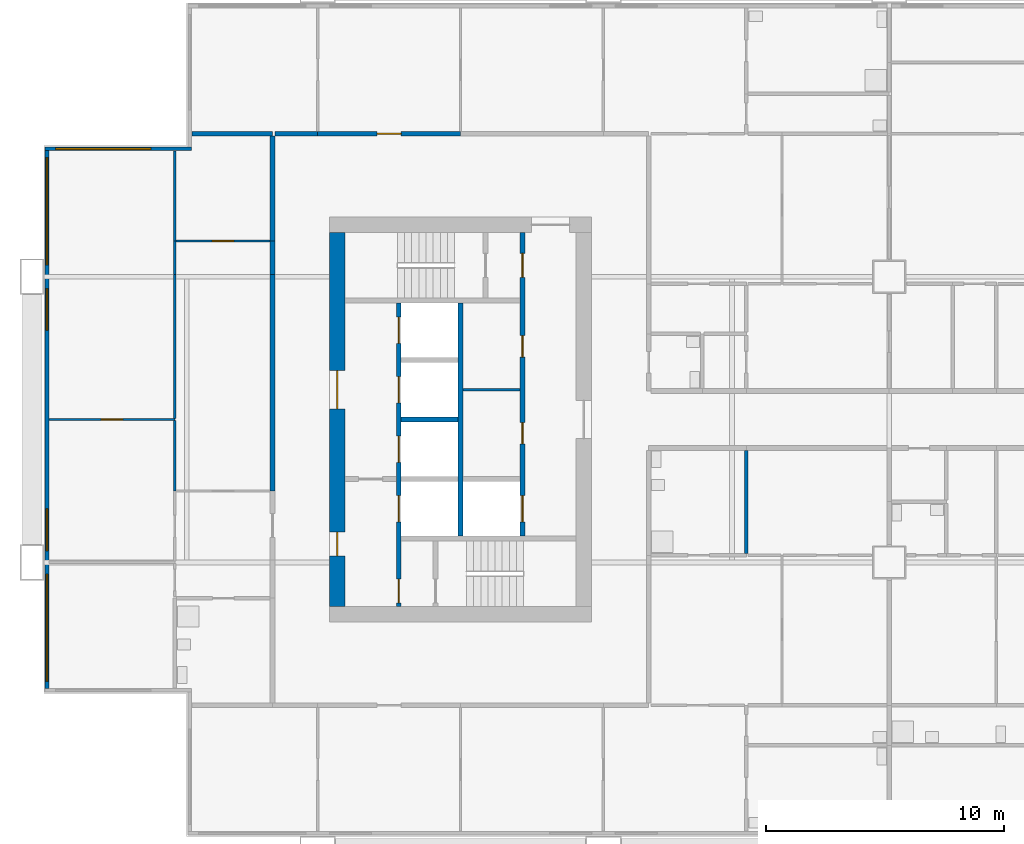
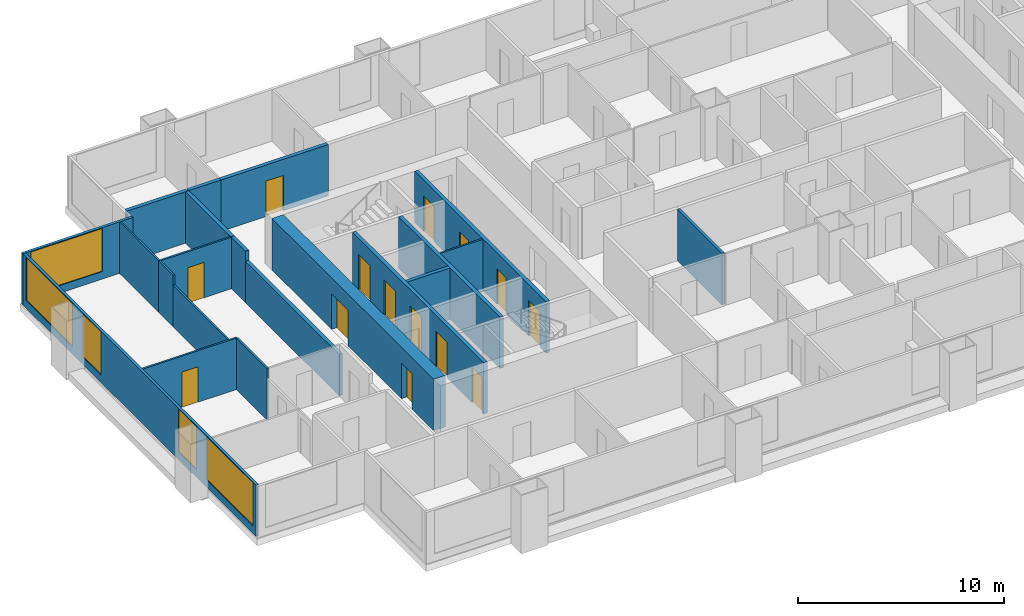
# One storey, part 3 of 11: 21 walls, 14 doors, 5 windows, 19 openings.
"""IFC4 building model written with IfcOpenShell, lengths in metres."""

from ifc_helpers import new_model, si_unit, direction, frame, frame_2d, origin, place, context, subcontext, project, spatial, rectangle, extrude, material, layer, layer_set, type_object, element, fill, save


model = new_model("IFC4")

# Units and contexts
model_context = context("Model", 3, precision=1e-05, world=origin(), true_north=direction((0.0, 1.0)))
body_context = subcontext(model_context, "Body", "Model", "MODEL_VIEW")
ifc_project = project(units=[si_unit("LENGTHUNIT", "METRE"), si_unit("AREAUNIT", "SQUARE_METRE"), si_unit("VOLUMEUNIT", "CUBIC_METRE"), si_unit("PLANEANGLEUNIT", "RADIAN"), si_unit("MASSUNIT", "GRAM", prefix="KILO")], contexts=[model_context])

# Site, building, storey
site_placement = place(None, origin())
site = spatial("IfcSite", under=ifc_project, at=site_placement, CompositionType="ELEMENT")
building_placement = place(site_placement, origin())
building = spatial("IfcBuilding", under=site, at=building_placement, Name="Kitamizu Gate Tower and Museum", CompositionType="ELEMENT")
storey_placement = place(building_placement, frame((0.0, 0.0, 100.050048828125)))
storey = spatial("IfcBuildingStorey", under=building, at=storey_placement, Name="L25", CompositionType="ELEMENT", Elevation=100.050048828125)

# Wall, openings, doors
ifc_material_1 = material(Name="Concrete Fc60", Category="concrete")
ifc_layer_1 = layer(ifc_material_1, 0.64990234375)
ifc_layer_set_1 = layer_set([ifc_layer_1], Name="Concrete Fc60")
wall_type_1 = type_object("IfcWallType", Name="Core wall 650", PredefinedType="SHEAR", material=ifc_layer_set_1)
wall_1_placement = place(storey_placement, frame((12.824951171875, 22.14990234375, 0.0), z_axis=(0.0, 0.0, 1.0), x_axis=(0.0, 1.0, 0.0)))
wall_1 = element("IfcWall", 1, at=wall_1_placement, inside=storey, type_object=wall_type_1, Name="Core wall WOUT", PredefinedType="SHEAR", context=body_context, shape_type="SweptSolid", body=[
    extrude(rectangle(XDim=15.7001953125, YDim=0.64990234375, at=frame_2d((7.85009765625, 0.0))), origin(), (0.0, 0.0, 1.0), 3.050048828125),
])
opening_1_placement = place(wall_1_placement, frame((8.300048828125, 0.0, 0.0)))
opening_1 = element("IfcOpeningElement", 2, at=opening_1_placement, cuts=wall_1, Name="Opening L25-061", PredefinedType="OPENING", context=body_context, shape_type="SweptSolid", body=[
    extrude(rectangle(XDim=1.60009765625, YDim=2.10009765625, at=frame_2d((0.800048828125, 1.050048828125))), frame((0.0, 0.3349609375, 0.0), z_axis=(0.0, -1.0, 0.0), x_axis=(1.0, 0.0, 0.0)), (0.0, 0.0, 1.0), 0.669921875),
])
opening_2_placement = place(wall_1_placement, frame((2.125, 0.0, 0.0)))
opening_2 = element("IfcOpeningElement", 3, at=opening_2_placement, cuts=wall_1, Name="Opening L25-062", PredefinedType="OPENING", context=body_context, shape_type="SweptSolid", body=[
    extrude(rectangle(XDim=1.0, YDim=2.10009765625, at=frame_2d((0.5, 1.050048828125))), frame((0.0, 0.3349609375, 0.0), z_axis=(0.0, -1.0, 0.0), x_axis=(1.0, 0.0, 0.0)), (0.0, 0.0, 1.0), 0.669921875),
])
ifc_material_2 = material(Name="Timber door set", Category="wood")
door_type_1 = type_object("IfcDoorType", Name="Entrance door 1600", OperationType="DOUBLE_DOOR_SINGLE_SWING", PredefinedType="DOOR", material=ifc_material_2)
door_1_placement = place(opening_1_placement, origin())
door_1 = element("IfcDoor", 4, at=door_1_placement, inside=storey, type_object=door_type_1, Name="Lobby door L25-061", OperationType="DOUBLE_DOOR_SINGLE_SWING", OverallHeight=2.10009765625, OverallWidth=1.60009765625, PredefinedType="DOOR", context=body_context, shape_type="SweptSolid", body=[
    extrude(rectangle(XDim=1.60009765625, YDim=2.10009765625, at=frame_2d((0.800048828125, 1.050048828125))), frame((0.0, 0.02490234375, 0.0), z_axis=(0.0, -1.0, 0.0), x_axis=(1.0, 0.0, 0.0)), (0.0, 0.0, 1.0), 0.050048828125),
])
fill(opening_1, door_1)
ifc_material_3 = material(Name="Hollow metal door set")
door_type_2 = type_object("IfcDoorType", Name="Fire door 1000", OperationType="NOTDEFINED", PredefinedType="DOOR", material=ifc_material_3)
door_2_placement = place(opening_2_placement, frame((1.0, 0.0, 0.0), x_axis=(-1.0, 0.0, 0.0)))
door_2 = element("IfcDoor", 5, at=door_2_placement, inside=storey, type_object=door_type_2, Name="Fire-fighting lobby door L25-062", OperationType="SINGLE_SWING_RIGHT", OverallHeight=2.10009765625, OverallWidth=1.0, PredefinedType="DOOR", context=body_context, shape_type="SweptSolid", body=[
    extrude(rectangle(XDim=1.0, YDim=2.10009765625, at=frame_2d((0.5, 1.050048828125))), frame((0.0, 0.02490234375, 0.0), z_axis=(0.0, -1.0, 0.0), x_axis=(1.0, 0.0, 0.0)), (0.0, 0.0, 1.0), 0.050048828125),
])
fill(opening_2, door_2)

# Wall
ifc_material_4 = material(Name="Gypsum board on galvanised stud")
ifc_layer_2 = layer(ifc_material_4, 0.10009765625)
ifc_layer_set_2 = layer_set([ifc_layer_2], Name="Gypsum board on galvanised stud")
wall_type_2 = type_object("IfcWallType", Name="Partition 100", PredefinedType="PARTITIONING", material=ifc_layer_set_2)
wall_2_placement = place(storey_placement, frame((18.10009765625, 31.25, 0.0), z_axis=(0.0, 0.0, 1.0), x_axis=(1.0, 0.0, 0.0)))
element("IfcWall", 6, at=wall_2_placement, inside=storey, type_object=wall_type_2, Name="Partition WPF1", PredefinedType="PARTITIONING", context=body_context, shape_type="SweptSolid", body=[
    extrude(rectangle(XDim=2.39990234375, YDim=0.10009765625, at=frame_2d((1.199951171875, 0.0))), origin(), (0.0, 0.0, 1.0), 3.050048828125),
])

# Wall, opening, door
ifc_material_5 = material(Name="Gypsum board on galvanised stud")
ifc_layer_3 = layer(ifc_material_5, 0.10009765625)
ifc_layer_set_3 = layer_set([ifc_layer_3], Name="Gypsum board on galvanised stud")
wall_type_3 = type_object("IfcWallType", Name="Partition 100 NOT RATED", PredefinedType="PARTITIONING", material=ifc_layer_set_3)
wall_3_placement = place(storey_placement, frame((6.0, 30.0, 0.0), z_axis=(0.0, 0.0, 1.0), x_axis=(-1.0, 0.0, 0.0)))
wall_3 = element("IfcWall", 7, at=wall_3_placement, inside=storey, type_object=wall_type_3, Name="Partition L25-033", PredefinedType="PARTITIONING", context=body_context, shape_type="SweptSolid", body=[
    extrude(rectangle(XDim=5.280029296875, YDim=0.10009765625, at=frame_2d((2.64013671875, 0.0))), origin(), (0.0, 0.0, 1.0), 3.050048828125),
])
opening_3_placement = place(wall_3_placement, frame((2.18994140625, 0.0, 0.0)))
opening_3 = element("IfcOpeningElement", 8, at=opening_3_placement, cuts=wall_3, Name="Opening L25-015", PredefinedType="OPENING", context=body_context, shape_type="SweptSolid", body=[
    extrude(rectangle(XDim=0.89990234375, YDim=2.10009765625, at=frame_2d((0.449951171875, 1.050048828125))), frame((0.0, 0.06005859375, 0.0), z_axis=(0.0, -1.0, 0.0), x_axis=(1.0, 0.0, 0.0)), (0.0, 0.0, 1.0), 0.1201171875),
])
ifc_material_6 = material(Name="Timber door set", Category="wood")
door_type_3 = type_object("IfcDoorType", Name="Room door 900", OperationType="NOTDEFINED", PredefinedType="DOOR", material=ifc_material_6)
door_3_placement = place(opening_3_placement, origin())
door_3 = element("IfcDoor", 9, at=door_3_placement, inside=storey, type_object=door_type_3, Name="Door L25-015", OperationType="SINGLE_SWING_RIGHT", OverallHeight=2.10009765625, OverallWidth=0.89990234375, PredefinedType="DOOR", context=body_context, shape_type="SweptSolid", body=[
    extrude(rectangle(XDim=0.89990234375, YDim=2.10009765625, at=frame_2d((0.449951171875, 1.050048828125))), frame((0.0, 0.02490234375, 0.0), z_axis=(0.0, -1.0, 0.0), x_axis=(1.0, 0.0, 0.0)), (0.0, 0.0, 1.0), 0.050048828125),
])
fill(opening_3, door_3)

# Walls
wall_4_placement = place(storey_placement, frame((6.0, 27.0, 0.0), z_axis=(0.0, 0.0, 1.0), x_axis=(0.0, 1.0, 0.0)))
element("IfcWall", 10, at=wall_4_placement, inside=storey, type_object=wall_type_3, Name="Partition L25-035", PredefinedType="PARTITIONING", context=body_context, shape_type="SweptSolid", body=[
    extrude(rectangle(XDim=2.949951171875, YDim=0.10009765625, at=frame_2d((1.47509765625, 0.0))), origin(), (0.0, 0.0, 1.0), 3.050048828125),
])
wall_5_placement = place(storey_placement, frame((6.0, 30.050048828125, 0.0), z_axis=(0.0, 0.0, 1.0), x_axis=(0.0, 1.0, 0.0)))
element("IfcWall", 11, at=wall_5_placement, inside=storey, type_object=wall_type_3, Name="Partition L25-036", PredefinedType="PARTITIONING", context=body_context, shape_type="SweptSolid", body=[
    extrude(rectangle(XDim=6.050048828125, YDim=0.10009765625, at=frame_2d((3.02490234375, 0.0))), origin(), (0.0, 0.0, 1.0), 2.449951171875),
])
wall_6_placement = place(storey_placement, frame((6.0, 36.10009765625, 0.0), z_axis=(0.0, 0.0, 1.0), x_axis=(0.0, 1.0, 0.0)))
element("IfcWall", 12, at=wall_6_placement, inside=storey, type_object=wall_type_3, Name="Partition L25-037", PredefinedType="PARTITIONING", context=body_context, shape_type="SweptSolid", body=[
    extrude(rectangle(XDim=1.39990234375, YDim=0.10009765625, at=frame_2d((0.699951171875, 0.0))), origin(), (0.0, 0.0, 1.0), 3.050048828125),
])
wall_7_placement = place(storey_placement, frame((6.0, 37.5, 0.0), z_axis=(0.0, 0.0, 1.0), x_axis=(0.0, 1.0, 0.0)))
element("IfcWall", 13, at=wall_7_placement, inside=storey, type_object=wall_type_3, Name="Partition L25-038", PredefinedType="PARTITIONING", context=body_context, shape_type="SweptSolid", body=[
    extrude(rectangle(XDim=3.780029296875, YDim=0.10009765625, at=frame_2d((1.89013671875, 0.0))), origin(), (0.0, 0.0, 1.0), 3.050048828125),
])

# Wall, opening, door
wall_8_placement = place(storey_placement, frame((10.0, 37.5, 0.0), z_axis=(0.0, 0.0, 1.0), x_axis=(-1.0, 0.0, 0.0)))
wall_8 = element("IfcWall", 14, at=wall_8_placement, inside=storey, type_object=wall_type_3, Name="Partition L25-044", PredefinedType="PARTITIONING", context=body_context, shape_type="SweptSolid", body=[
    extrude(rectangle(XDim=3.949951171875, YDim=0.10009765625, at=frame_2d((1.97509765625, 0.0))), origin(), (0.0, 0.0, 1.0), 3.050048828125),
])
opening_4_placement = place(wall_8_placement, frame((1.52490234375, 0.0, 0.0)))
opening_4 = element("IfcOpeningElement", 15, at=opening_4_placement, cuts=wall_8, Name="Opening L25-017", PredefinedType="OPENING", context=body_context, shape_type="SweptSolid", body=[
    extrude(rectangle(XDim=0.89990234375, YDim=2.10009765625, at=frame_2d((0.449951171875, 1.050048828125))), frame((0.0, 0.06005859375, 0.0), z_axis=(0.0, -1.0, 0.0), x_axis=(1.0, 0.0, 0.0)), (0.0, 0.0, 1.0), 0.1201171875),
])
door_4_placement = place(opening_4_placement, frame((0.89990234375, 0.0, 0.0), x_axis=(-1.0, 0.0, 0.0)))
door_4 = element("IfcDoor", 16, at=door_4_placement, inside=storey, type_object=door_type_3, Name="Door L25-017", OperationType="SINGLE_SWING_LEFT", OverallHeight=2.10009765625, OverallWidth=0.89990234375, PredefinedType="DOOR", context=body_context, shape_type="SweptSolid", body=[
    extrude(rectangle(XDim=0.89990234375, YDim=2.10009765625, at=frame_2d((0.449951171875, 1.050048828125))), frame((0.0, 0.02490234375, 0.0), z_axis=(0.0, -1.0, 0.0), x_axis=(1.0, 0.0, 0.0)), (0.0, 0.0, 1.0), 0.050048828125),
])
fill(opening_4, door_4)

# Walls
ifc_material_7 = material(Name="Gypsum board on galvanised stud")
ifc_layer_4 = layer(ifc_material_7, 0.14990234375)
ifc_layer_set_4 = layer_set([ifc_layer_4], Name="Gypsum board on galvanised stud")
wall_type_4 = type_object("IfcWallType", Name="Partition 150", PredefinedType="PARTITIONING", material=ifc_layer_set_4)
wall_9_placement = place(storey_placement, frame((30.0, 24.375, 0.0), z_axis=(0.0, 0.0, 1.0), x_axis=(0.0, 1.0, 0.0)))
element("IfcWall", 17, at=wall_9_placement, inside=storey, type_object=wall_type_4, Name="Partition L25-024", PredefinedType="PARTITIONING", context=body_context, shape_type="SweptSolid", body=[
    extrude(rectangle(XDim=4.324951171875, YDim=0.14990234375, at=frame_2d((2.16259765625, 0.0))), origin(), (0.0, 0.0, 1.0), 3.050048828125),
])
ifc_material_8 = material(Name="Gypsum board on galvanised stud")
ifc_layer_5 = layer(ifc_material_8, 0.199951171875)
ifc_layer_set_5 = layer_set([ifc_layer_5], Name="Gypsum board on galvanised stud")
wall_type_5 = type_object("IfcWallType", Name="Partition 200", PredefinedType="PARTITIONING", material=ifc_layer_set_5)
wall_10_placement = place(storey_placement, frame((10.10009765625, 27.0, 0.0), z_axis=(0.0, 0.0, 1.0), x_axis=(0.0, 1.0, 0.0)))
element("IfcWall", 18, at=wall_10_placement, inside=storey, type_object=wall_type_5, Name="Partition L25-045", PredefinedType="PARTITIONING", context=body_context, shape_type="SweptSolid", body=[
    extrude(rectangle(XDim=9.10009765625, YDim=0.199951171875, at=frame_2d((4.550048828125, 0.0))), origin(), (0.0, 0.0, 1.0), 2.449951171875),
])
wall_11_placement = place(storey_placement, frame((10.10009765625, 36.10009765625, 0.0), z_axis=(0.0, 0.0, 1.0), x_axis=(0.0, 1.0, 0.0)))
element("IfcWall", 19, at=wall_11_placement, inside=storey, type_object=wall_type_5, Name="Partition L25-046", PredefinedType="PARTITIONING", context=body_context, shape_type="SweptSolid", body=[
    extrude(rectangle(XDim=1.39990234375, YDim=0.199951171875, at=frame_2d((0.699951171875, 0.0))), origin(), (0.0, 0.0, 1.0), 3.050048828125),
])
wall_12_placement = place(storey_placement, frame((10.10009765625, 42.0, 0.0), z_axis=(0.0, 0.0, 1.0), x_axis=(-1.0, 0.0, 0.0)))
element("IfcWall", 20, at=wall_12_placement, inside=storey, type_object=wall_type_5, Name="Partition L25-047", PredefinedType="PARTITIONING", context=body_context, shape_type="SweptSolid", body=[
    extrude(rectangle(XDim=3.380126953125, YDim=0.199951171875, at=frame_2d((1.68994140625, 0.0))), origin(), (0.0, 0.0, 1.0), 3.050048828125),
])
wall_13_placement = place(storey_placement, frame((10.10009765625, 37.5, 0.0), z_axis=(0.0, 0.0, 1.0), x_axis=(0.0, 1.0, 0.0)))
element("IfcWall", 21, at=wall_13_placement, inside=storey, type_object=wall_type_5, Name="Partition L25-048", PredefinedType="PARTITIONING", context=body_context, shape_type="SweptSolid", body=[
    extrude(rectangle(XDim=4.39990234375, YDim=0.199951171875, at=frame_2d((2.199951171875, 0.0))), origin(), (0.0, 0.0, 1.0), 3.050048828125),
])
wall_14_placement = place(storey_placement, frame((10.199951171875, 42.0, 0.0), z_axis=(0.0, 0.0, 1.0), x_axis=(1.0, 0.0, 0.0)))
element("IfcWall", 22, at=wall_14_placement, inside=storey, type_object=wall_type_5, Name="Partition L25-094", PredefinedType="PARTITIONING", context=body_context, shape_type="SweptSolid", body=[
    extrude(rectangle(XDim=1.800048828125, YDim=0.199951171875, at=frame_2d((0.89990234375, 0.0))), origin(), (0.0, 0.0, 1.0), 3.050048828125),
])

# Wall, opening, door
wall_15_placement = place(storey_placement, frame((12.0, 42.0, 0.0), z_axis=(0.0, 0.0, 1.0), x_axis=(1.0, 0.0, 0.0)))
wall_15 = element("IfcWall", 23, at=wall_15_placement, inside=storey, type_object=wall_type_5, Name="Partition L25-096", PredefinedType="PARTITIONING", context=body_context, shape_type="SweptSolid", body=[
    extrude(rectangle(XDim=6.0, YDim=0.199951171875, at=frame_2d((3.0, 0.0))), origin(), (0.0, 0.0, 1.0), 3.050048828125),
])
opening_5_placement = place(wall_15_placement, frame((2.5, 0.0, 0.0)))
opening_5 = element("IfcOpeningElement", 24, at=opening_5_placement, cuts=wall_15, Name="Opening L25-036", PredefinedType="OPENING", context=body_context, shape_type="SweptSolid", body=[
    extrude(rectangle(XDim=1.0, YDim=2.10009765625, at=frame_2d((0.5, 1.050048828125))), frame((0.0, 0.10986328125, 0.0), z_axis=(0.0, -1.0, 0.0), x_axis=(1.0, 0.0, 0.0)), (0.0, 0.0, 1.0), 0.219970703125),
])
ifc_material_9 = material(Name="Timber door set", Category="wood")
door_type_4 = type_object("IfcDoorType", Name="Flat entrance door 1000", OperationType="NOTDEFINED", PredefinedType="DOOR", material=ifc_material_9)
door_5_placement = place(opening_5_placement, origin())
door_5 = element("IfcDoor", 25, at=door_5_placement, inside=storey, type_object=door_type_4, Name="Flat entrance door L25-036", OperationType="SINGLE_SWING_RIGHT", OverallHeight=2.10009765625, OverallWidth=1.0, PredefinedType="DOOR", context=body_context, shape_type="SweptSolid", body=[
    extrude(rectangle(XDim=1.0, YDim=2.10009765625, at=frame_2d((0.5, 1.050048828125))), frame((0.0, 0.02490234375, 0.0), z_axis=(0.0, -1.0, 0.0), x_axis=(1.0, 0.0, 0.0)), (0.0, 0.0, 1.0), 0.050048828125),
])
fill(opening_5, door_5)

# Wall, openings, doors
ifc_material_10 = material(Name="Concrete Fc42", Category="concrete")
ifc_layer_6 = layer(ifc_material_10, 0.199951171875)
ifc_layer_set_6 = layer_set([ifc_layer_6], Name="Concrete Fc42")
wall_type_6 = type_object("IfcWallType", Name="Shaft wall 200", PredefinedType="SOLIDWALL", material=ifc_layer_set_6)
wall_16_placement = place(storey_placement, frame((15.39990234375, 22.14990234375, 0.0), z_axis=(0.0, 0.0, 1.0), x_axis=(0.0, 1.0, 0.0)))
wall_16 = element("IfcWall", 26, at=wall_16_placement, inside=storey, type_object=wall_type_6, Name="Shaft wall WWEST", PredefinedType="SOLIDWALL", context=body_context, shape_type="SweptSolid", body=[
    extrude(rectangle(XDim=12.75, YDim=0.199951171875, at=frame_2d((6.375, 0.0))), origin(), (0.0, 0.0, 1.0), 3.050048828125),
])
opening_6_placement = place(wall_16_placement, frame((3.550048828125, 0.0, 0.0)))
opening_6 = element("IfcOpeningElement", 27, at=opening_6_placement, cuts=wall_16, Name="Opening LD", PredefinedType="OPENING", context=body_context, shape_type="SweptSolid", body=[
    extrude(rectangle(XDim=1.10009765625, YDim=2.10009765625, at=frame_2d((0.550048828125, 1.050048828125))), frame((0.0, 0.10986328125, 0.0), z_axis=(0.0, -1.0, 0.0), x_axis=(1.0, 0.0, 0.0)), (0.0, 0.0, 1.0), 0.219970703125),
])
opening_7_placement = place(wall_16_placement, frame((6.050048828125, 0.0, 0.0)))
opening_7 = element("IfcOpeningElement", 28, at=opening_7_placement, cuts=wall_16, Name="Opening LD", PredefinedType="OPENING", context=body_context, shape_type="SweptSolid", body=[
    extrude(rectangle(XDim=1.10009765625, YDim=2.10009765625, at=frame_2d((0.550048828125, 1.050048828125))), frame((0.0, 0.10986328125, 0.0), z_axis=(0.0, -1.0, 0.0), x_axis=(1.0, 0.0, 0.0)), (0.0, 0.0, 1.0), 0.219970703125),
])
opening_8_placement = place(wall_16_placement, frame((8.550048828125, 0.0, 0.0)))
opening_8 = element("IfcOpeningElement", 29, at=opening_8_placement, cuts=wall_16, Name="Opening LD", PredefinedType="OPENING", context=body_context, shape_type="SweptSolid", body=[
    extrude(rectangle(XDim=1.10009765625, YDim=2.10009765625, at=frame_2d((0.550048828125, 1.050048828125))), frame((0.0, 0.10986328125, 0.0), z_axis=(0.0, -1.0, 0.0), x_axis=(1.0, 0.0, 0.0)), (0.0, 0.0, 1.0), 0.219970703125),
])
opening_9_placement = place(wall_16_placement, frame((11.050048828125, 0.0, 0.0)))
opening_9 = element("IfcOpeningElement", 30, at=opening_9_placement, cuts=wall_16, Name="Opening LD", PredefinedType="OPENING", context=body_context, shape_type="SweptSolid", body=[
    extrude(rectangle(XDim=1.10009765625, YDim=2.10009765625, at=frame_2d((0.550048828125, 1.050048828125))), frame((0.0, 0.10986328125, 0.0), z_axis=(0.0, -1.0, 0.0), x_axis=(1.0, 0.0, 0.0)), (0.0, 0.0, 1.0), 0.219970703125),
])
opening_10_placement = place(wall_16_placement, frame((0.14990234375, 0.0, 0.0)))
opening_10 = element("IfcOpeningElement", 31, at=opening_10_placement, cuts=wall_16, Name="Opening L25-057", PredefinedType="OPENING", context=body_context, shape_type="SweptSolid", body=[
    extrude(rectangle(XDim=1.0, YDim=2.10009765625, at=frame_2d((0.5, 1.050048828125))), frame((0.0, 0.10986328125, 0.0), z_axis=(0.0, -1.0, 0.0), x_axis=(1.0, 0.0, 0.0)), (0.0, 0.0, 1.0), 0.219970703125),
])
door_6_placement = place(opening_10_placement, frame((1.0, 0.0, 0.0), x_axis=(-1.0, 0.0, 0.0)))
door_6 = element("IfcDoor", 32, at=door_6_placement, inside=storey, type_object=door_type_2, Name="Stair lobby door L25-057", OperationType="SINGLE_SWING_LEFT", OverallHeight=2.10009765625, OverallWidth=1.0, PredefinedType="DOOR", context=body_context, shape_type="SweptSolid", body=[
    extrude(rectangle(XDim=1.0, YDim=2.10009765625, at=frame_2d((0.5, 1.050048828125))), frame((0.0, 0.02490234375, 0.0), z_axis=(0.0, -1.0, 0.0), x_axis=(1.0, 0.0, 0.0)), (0.0, 0.0, 1.0), 0.050048828125),
])
fill(opening_10, door_6)
ifc_material_11 = material(Name="Hollow metal door set")
door_type_5 = type_object("IfcDoorType", Name="Landing door 1100", OperationType="SLIDING_TO_LEFT", PredefinedType="DOOR", material=ifc_material_11)
door_7_placement = place(opening_6_placement, origin())
door_7 = element("IfcDoor", 33, at=door_7_placement, inside=storey, type_object=door_type_5, Name="Landing door WFF1", OperationType="SLIDING_TO_LEFT", OverallHeight=2.10009765625, OverallWidth=1.10009765625, PredefinedType="DOOR", context=body_context, shape_type="SweptSolid", body=[
    extrude(rectangle(XDim=1.10009765625, YDim=2.10009765625, at=frame_2d((0.550048828125, 1.050048828125))), frame((0.0, 0.02490234375, 0.0), z_axis=(0.0, -1.0, 0.0), x_axis=(1.0, 0.0, 0.0)), (0.0, 0.0, 1.0), 0.050048828125),
])
fill(opening_6, door_7)
door_8_placement = place(opening_7_placement, origin())
door_8 = element("IfcDoor", 34, at=door_8_placement, inside=storey, type_object=door_type_5, Name="Landing door WL1", OperationType="SLIDING_TO_LEFT", OverallHeight=2.10009765625, OverallWidth=1.10009765625, PredefinedType="DOOR", context=body_context, shape_type="SweptSolid", body=[
    extrude(rectangle(XDim=1.10009765625, YDim=2.10009765625, at=frame_2d((0.550048828125, 1.050048828125))), frame((0.0, 0.02490234375, 0.0), z_axis=(0.0, -1.0, 0.0), x_axis=(1.0, 0.0, 0.0)), (0.0, 0.0, 1.0), 0.050048828125),
])
fill(opening_7, door_8)
door_9_placement = place(opening_8_placement, origin())
door_9 = element("IfcDoor", 35, at=door_9_placement, inside=storey, type_object=door_type_5, Name="Landing door WL2", OperationType="SLIDING_TO_LEFT", OverallHeight=2.10009765625, OverallWidth=1.10009765625, PredefinedType="DOOR", context=body_context, shape_type="SweptSolid", body=[
    extrude(rectangle(XDim=1.10009765625, YDim=2.10009765625, at=frame_2d((0.550048828125, 1.050048828125))), frame((0.0, 0.02490234375, 0.0), z_axis=(0.0, -1.0, 0.0), x_axis=(1.0, 0.0, 0.0)), (0.0, 0.0, 1.0), 0.050048828125),
])
fill(opening_8, door_9)
door_10_placement = place(opening_9_placement, origin())
door_10 = element("IfcDoor", 36, at=door_10_placement, inside=storey, type_object=door_type_5, Name="Landing door WL3", OperationType="SLIDING_TO_LEFT", OverallHeight=2.10009765625, OverallWidth=1.10009765625, PredefinedType="DOOR", context=body_context, shape_type="SweptSolid", body=[
    extrude(rectangle(XDim=1.10009765625, YDim=2.10009765625, at=frame_2d((0.550048828125, 1.050048828125))), frame((0.0, 0.02490234375, 0.0), z_axis=(0.0, -1.0, 0.0), x_axis=(1.0, 0.0, 0.0)), (0.0, 0.0, 1.0), 0.050048828125),
])
fill(opening_9, door_10)

wall_17_placement = place(storey_placement, frame((20.60009765625, 25.10009765625, 0.0), z_axis=(0.0, 0.0, 1.0), x_axis=(0.0, 1.0, 0.0)))
wall_17 = element("IfcWall", 37, at=wall_17_placement, inside=storey, type_object=wall_type_6, Name="Shaft wall WEAST", PredefinedType="SOLIDWALL", context=body_context, shape_type="SweptSolid", body=[
    extrude(rectangle(XDim=12.75, YDim=0.199951171875, at=frame_2d((6.375, 0.0))), origin(), (0.0, 0.0, 1.0), 3.050048828125),
])
opening_11_placement = place(wall_17_placement, frame((0.60009765625, 0.0, 0.0)))
opening_11 = element("IfcOpeningElement", 38, at=opening_11_placement, cuts=wall_17, Name="Opening LD", PredefinedType="OPENING", context=body_context, shape_type="SweptSolid", body=[
    extrude(rectangle(XDim=1.10009765625, YDim=2.10009765625, at=frame_2d((0.550048828125, 1.050048828125))), frame((0.0, 0.10986328125, 0.0), z_axis=(0.0, -1.0, 0.0), x_axis=(1.0, 0.0, 0.0)), (0.0, 0.0, 1.0), 0.219970703125),
])
opening_12_placement = place(wall_17_placement, frame((10.875, 0.0, 0.0)))
opening_12 = element("IfcOpeningElement", 39, at=opening_12_placement, cuts=wall_17, Name="Opening L25-058", PredefinedType="OPENING", context=body_context, shape_type="SweptSolid", body=[
    extrude(rectangle(XDim=1.0, YDim=2.10009765625, at=frame_2d((0.5, 1.050048828125))), frame((0.0, 0.10986328125, 0.0), z_axis=(0.0, -1.0, 0.0), x_axis=(1.0, 0.0, 0.0)), (0.0, 0.0, 1.0), 0.219970703125),
])
opening_13_placement = place(wall_17_placement, frame((3.875, 0.0, 0.0)))
opening_13 = element("IfcOpeningElement", 40, at=opening_13_placement, cuts=wall_17, Name="Opening L25-065", PredefinedType="OPENING", context=body_context, shape_type="SweptSolid", body=[
    extrude(rectangle(XDim=0.89990234375, YDim=2.10009765625, at=frame_2d((0.449951171875, 1.050048828125))), frame((0.0, 0.10986328125, 0.0), z_axis=(0.0, -1.0, 0.0), x_axis=(1.0, 0.0, 0.0)), (0.0, 0.0, 1.0), 0.219970703125),
])
opening_14_placement = place(wall_17_placement, frame((7.52490234375, 0.0, 0.0)))
opening_14 = element("IfcOpeningElement", 41, at=opening_14_placement, cuts=wall_17, Name="Opening L25-066", PredefinedType="OPENING", context=body_context, shape_type="SweptSolid", body=[
    extrude(rectangle(XDim=0.89990234375, YDim=2.10009765625, at=frame_2d((0.449951171875, 1.050048828125))), frame((0.0, 0.10986328125, 0.0), z_axis=(0.0, -1.0, 0.0), x_axis=(1.0, 0.0, 0.0)), (0.0, 0.0, 1.0), 0.219970703125),
])
door_11_placement = place(opening_12_placement, origin())
door_11 = element("IfcDoor", 42, at=door_11_placement, inside=storey, type_object=door_type_2, Name="Stair lobby door L25-058", OperationType="SINGLE_SWING_RIGHT", OverallHeight=2.10009765625, OverallWidth=1.0, PredefinedType="DOOR", context=body_context, shape_type="SweptSolid", body=[
    extrude(rectangle(XDim=1.0, YDim=2.10009765625, at=frame_2d((0.5, 1.050048828125))), frame((0.0, 0.02490234375, 0.0), z_axis=(0.0, -1.0, 0.0), x_axis=(1.0, 0.0, 0.0)), (0.0, 0.0, 1.0), 0.050048828125),
])
fill(opening_12, door_11)
door_12_placement = place(opening_11_placement, origin())
door_12 = element("IfcDoor", 43, at=door_12_placement, inside=storey, type_object=door_type_5, Name="Landing door WSV1", OperationType="SLIDING_TO_LEFT", OverallHeight=2.10009765625, OverallWidth=1.10009765625, PredefinedType="DOOR", context=body_context, shape_type="SweptSolid", body=[
    extrude(rectangle(XDim=1.10009765625, YDim=2.10009765625, at=frame_2d((0.550048828125, 1.050048828125))), frame((0.0, 0.02490234375, 0.0), z_axis=(0.0, -1.0, 0.0), x_axis=(1.0, 0.0, 0.0)), (0.0, 0.0, 1.0), 0.050048828125),
])
fill(opening_11, door_12)
ifc_material_12 = material(Name="Timber door set", Category="wood")
door_type_6 = type_object("IfcDoorType", Name="Service door 900", OperationType="NOTDEFINED", PredefinedType="DOOR", material=ifc_material_12)
door_13_placement = place(opening_13_placement, origin())
door_13 = element("IfcDoor", 44, at=door_13_placement, inside=storey, type_object=door_type_6, Name="Service door L25-065", OperationType="SINGLE_SWING_RIGHT", OverallHeight=2.10009765625, OverallWidth=0.89990234375, PredefinedType="DOOR", context=body_context, shape_type="SweptSolid", body=[
    extrude(rectangle(XDim=0.89990234375, YDim=2.10009765625, at=frame_2d((0.449951171875, 1.050048828125))), frame((0.0, 0.02490234375, 0.0), z_axis=(0.0, -1.0, 0.0), x_axis=(1.0, 0.0, 0.0)), (0.0, 0.0, 1.0), 0.050048828125),
])
fill(opening_13, door_13)
door_14_placement = place(opening_14_placement, origin())
door_14 = element("IfcDoor", 45, at=door_14_placement, inside=storey, type_object=door_type_6, Name="Service door L25-066", OperationType="SINGLE_SWING_LEFT", OverallHeight=2.10009765625, OverallWidth=0.89990234375, PredefinedType="DOOR", context=body_context, shape_type="SweptSolid", body=[
    extrude(rectangle(XDim=0.89990234375, YDim=2.10009765625, at=frame_2d((0.449951171875, 1.050048828125))), frame((0.0, 0.02490234375, 0.0), z_axis=(0.0, -1.0, 0.0), x_axis=(1.0, 0.0, 0.0)), (0.0, 0.0, 1.0), 0.050048828125),
])
fill(opening_14, door_14)

# Walls
wall_18_placement = place(storey_placement, frame((18.0, 25.10009765625, 0.0), z_axis=(0.0, 0.0, 1.0), x_axis=(0.0, 1.0, 0.0)))
element("IfcWall", 46, at=wall_18_placement, inside=storey, type_object=wall_type_6, Name="Shaft wall WMID", PredefinedType="SOLIDWALL", context=body_context, shape_type="SweptSolid", body=[
    extrude(rectangle(XDim=9.7998046875, YDim=0.199951171875, at=frame_2d((4.89990234375, 0.0))), origin(), (0.0, 0.0, 1.0), 3.050048828125),
])
wall_19_placement = place(storey_placement, frame((15.5, 30.0, 0.0), z_axis=(0.0, 0.0, 1.0), x_axis=(1.0, 0.0, 0.0)))
element("IfcWall", 47, at=wall_19_placement, inside=storey, type_object=wall_type_6, Name="Shaft wall WDVW1", PredefinedType="SOLIDWALL", context=body_context, shape_type="SweptSolid", body=[
    extrude(rectangle(XDim=2.39990234375, YDim=0.199951171875, at=frame_2d((1.199951171875, 0.0))), origin(), (0.0, 0.0, 1.0), 3.050048828125),
])

# Wall, opening, window
ifc_material_13 = material(Name="Bronze anodised aluminium frame with insulated spandrel and tinted glass", Category="aluminium")
ifc_layer_7 = layer(ifc_material_13, 0.14990234375)
ifc_layer_set_7 = layer_set([ifc_layer_7], Name="Bronze anodised aluminium frame with insulated spandrel and tinted glass")
wall_type_7 = type_object("IfcWallType", Name="WINDOW WALL 150 BRONZE FRAME EI 30", PredefinedType="ELEMENTEDWALL", material=ifc_layer_set_7)
wall_20_placement = place(storey_placement, frame((0.56005859375, 41.364990234375, 0.0), z_axis=(0.0, 0.0, 1.0), x_axis=(1.0, 0.0, 0.0)))
wall_20 = element("IfcWall", 48, at=wall_20_placement, inside=storey, type_object=wall_type_7, Name="Window wall north L25", PredefinedType="ELEMENTEDWALL", context=body_context, shape_type="SweptSolid", body=[
    extrude(rectangle(XDim=6.14990234375, YDim=0.14990234375, at=frame_2d((3.074951171875, 0.0))), origin(), (0.0, 0.0, 1.0), 3.050048828125),
])
opening_15_placement = place(wall_20_placement, frame((0.43994140625, 0.0, 0.449951171875)))
opening_15 = element("IfcOpeningElement", 49, at=opening_15_placement, cuts=wall_20, Name="Opening W16", PredefinedType="OPENING", context=body_context, shape_type="SweptSolid", body=[
    extrude(rectangle(XDim=4.0, YDim=2.550048828125, at=frame_2d((2.0, 1.27490234375))), frame((0.0, 0.0849609375, 0.0), z_axis=(0.0, -1.0, 0.0), x_axis=(1.0, 0.0, 0.0)), (0.0, 0.0, 1.0), 0.169921875),
])
ifc_material_14 = material(Name="Bronze anodised aluminium frame, tinted triple glazing", Category="aluminium")
window_type_1 = type_object("IfcWindowType", Name="WINDOW 4000 x 2550 SILL 450", PartitioningType="SINGLE_PANEL", PredefinedType="WINDOW", material=ifc_material_14)
window_1_placement = place(opening_15_placement, origin())
window_1 = element("IfcWindow", 50, at=window_1_placement, inside=storey, type_object=window_type_1, Name="Window W16 L25", OverallHeight=2.550048828125, OverallWidth=4.0, PartitioningType="SINGLE_PANEL", PredefinedType="WINDOW", context=body_context, shape_type="SweptSolid", body=[
    extrude(rectangle(XDim=4.0, YDim=2.550048828125, at=frame_2d((2.0, 1.27490234375))), frame((0.0, 0.030029296875, 0.0), z_axis=(0.0, -1.0, 0.0), x_axis=(1.0, 0.0, 0.0)), (0.0, 0.0, 1.0), 0.06005859375),
])
fill(opening_15, window_1)

# Wall, openings, windows
wall_21_placement = place(storey_placement, frame((0.635009765625, 18.7099609375, 0.0), z_axis=(0.0, 0.0, 1.0), x_axis=(0.0, 1.0, 0.0)))
wall_21 = element("IfcWall", 51, at=wall_21_placement, inside=storey, type_object=wall_type_7, Name="Window wall west L25", PredefinedType="ELEMENTEDWALL", context=body_context, shape_type="SweptSolid", body=[
    extrude(rectangle(XDim=22.580078125, YDim=0.14990234375, at=frame_2d((11.2900390625, 0.0))), origin(), (0.0, 0.0, 1.0), 3.050048828125),
])
opening_16_placement = place(wall_21_placement, frame((0.2900390625, 0.0, 0.449951171875)))
opening_16 = element("IfcOpeningElement", 52, at=opening_16_placement, cuts=wall_21, Name="Opening W15", PredefinedType="OPENING", context=body_context, shape_type="SweptSolid", body=[
    extrude(rectangle(XDim=4.5, YDim=2.550048828125, at=frame_2d((2.25, 1.27490234375))), frame((0.0, 0.0849609375, 0.0), z_axis=(0.0, -1.0, 0.0), x_axis=(1.0, 0.0, 0.0)), (0.0, 0.0, 1.0), 0.169921875),
])
opening_17_placement = place(wall_21_placement, frame((5.7900390625, 0.0, 0.449951171875)))
opening_17 = element("IfcOpeningElement", 53, at=opening_17_placement, cuts=wall_21, Name="Opening W29", PredefinedType="OPENING", context=body_context, shape_type="SweptSolid", body=[
    extrude(rectangle(XDim=1.75, YDim=2.550048828125, at=frame_2d((0.875, 1.27490234375))), frame((0.0, 0.0849609375, 0.0), z_axis=(0.0, -1.0, 0.0), x_axis=(1.0, 0.0, 0.0)), (0.0, 0.0, 1.0), 0.169921875),
])
opening_18_placement = place(wall_21_placement, frame((15.0400390625, 0.0, 0.449951171875)))
opening_18 = element("IfcOpeningElement", 54, at=opening_18_placement, cuts=wall_21, Name="Opening W29", PredefinedType="OPENING", context=body_context, shape_type="SweptSolid", body=[
    extrude(rectangle(XDim=1.75, YDim=2.550048828125, at=frame_2d((0.875, 1.27490234375))), frame((0.0, 0.0849609375, 0.0), z_axis=(0.0, -1.0, 0.0), x_axis=(1.0, 0.0, 0.0)), (0.0, 0.0, 1.0), 0.169921875),
])
opening_19_placement = place(wall_21_placement, frame((17.7900390625, 0.0, 0.449951171875)))
opening_19 = element("IfcOpeningElement", 55, at=opening_19_placement, cuts=wall_21, Name="Opening W15", PredefinedType="OPENING", context=body_context, shape_type="SweptSolid", body=[
    extrude(rectangle(XDim=4.5, YDim=2.550048828125, at=frame_2d((2.25, 1.27490234375))), frame((0.0, 0.0849609375, 0.0), z_axis=(0.0, -1.0, 0.0), x_axis=(1.0, 0.0, 0.0)), (0.0, 0.0, 1.0), 0.169921875),
])
ifc_material_15 = material(Name="Bronze anodised aluminium frame, tinted triple glazing", Category="aluminium")
window_type_2 = type_object("IfcWindowType", Name="WINDOW 1750 x 2550 SILL 450", PartitioningType="SINGLE_PANEL", PredefinedType="WINDOW", material=ifc_material_15)
window_2_placement = place(opening_17_placement, origin())
window_2 = element("IfcWindow", 56, at=window_2_placement, inside=storey, type_object=window_type_2, Name="Window W29 L25", OverallHeight=2.550048828125, OverallWidth=1.75, PartitioningType="SINGLE_PANEL", PredefinedType="WINDOW", context=body_context, shape_type="SweptSolid", body=[
    extrude(rectangle(XDim=1.75, YDim=2.550048828125, at=frame_2d((0.875, 1.27490234375))), frame((0.0, 0.030029296875, 0.0), z_axis=(0.0, -1.0, 0.0), x_axis=(1.0, 0.0, 0.0)), (0.0, 0.0, 1.0), 0.06005859375),
])
fill(opening_17, window_2)
window_3_placement = place(opening_18_placement, origin())
window_3 = element("IfcWindow", 57, at=window_3_placement, inside=storey, type_object=window_type_2, Name="Window W29 L25", OverallHeight=2.550048828125, OverallWidth=1.75, PartitioningType="SINGLE_PANEL", PredefinedType="WINDOW", context=body_context, shape_type="SweptSolid", body=[
    extrude(rectangle(XDim=1.75, YDim=2.550048828125, at=frame_2d((0.875, 1.27490234375))), frame((0.0, 0.030029296875, 0.0), z_axis=(0.0, -1.0, 0.0), x_axis=(1.0, 0.0, 0.0)), (0.0, 0.0, 1.0), 0.06005859375),
])
fill(opening_18, window_3)
ifc_material_16 = material(Name="Bronze anodised aluminium frame, tinted triple glazing", Category="aluminium")
window_type_3 = type_object("IfcWindowType", Name="WINDOW 4500 x 2550 SILL 450", PartitioningType="SINGLE_PANEL", PredefinedType="WINDOW", material=ifc_material_16)
window_4_placement = place(opening_16_placement, origin())
window_4 = element("IfcWindow", 58, at=window_4_placement, inside=storey, type_object=window_type_3, Name="Window W15 L25", OverallHeight=2.550048828125, OverallWidth=4.5, PartitioningType="SINGLE_PANEL", PredefinedType="WINDOW", context=body_context, shape_type="SweptSolid", body=[
    extrude(rectangle(XDim=4.5, YDim=2.550048828125, at=frame_2d((2.25, 1.27490234375))), frame((0.0, 0.030029296875, 0.0), z_axis=(0.0, -1.0, 0.0), x_axis=(1.0, 0.0, 0.0)), (0.0, 0.0, 1.0), 0.06005859375),
])
fill(opening_16, window_4)
window_5_placement = place(opening_19_placement, origin())
window_5 = element("IfcWindow", 59, at=window_5_placement, inside=storey, type_object=window_type_3, Name="Window W15 L25", OverallHeight=2.550048828125, OverallWidth=4.5, PartitioningType="SINGLE_PANEL", PredefinedType="WINDOW", context=body_context, shape_type="SweptSolid", body=[
    extrude(rectangle(XDim=4.5, YDim=2.550048828125, at=frame_2d((2.25, 1.27490234375))), frame((0.0, 0.030029296875, 0.0), z_axis=(0.0, -1.0, 0.0), x_axis=(1.0, 0.0, 0.0)), (0.0, 0.0, 1.0), 0.06005859375),
])
fill(opening_19, window_5)

save(model, "model.ifc")
